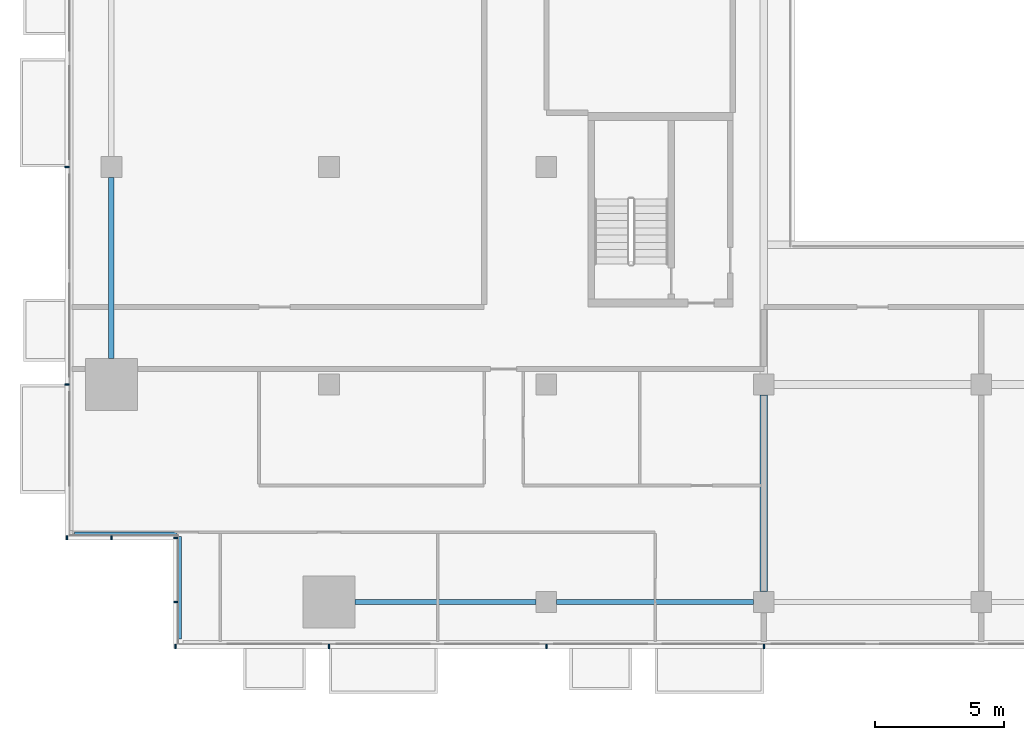
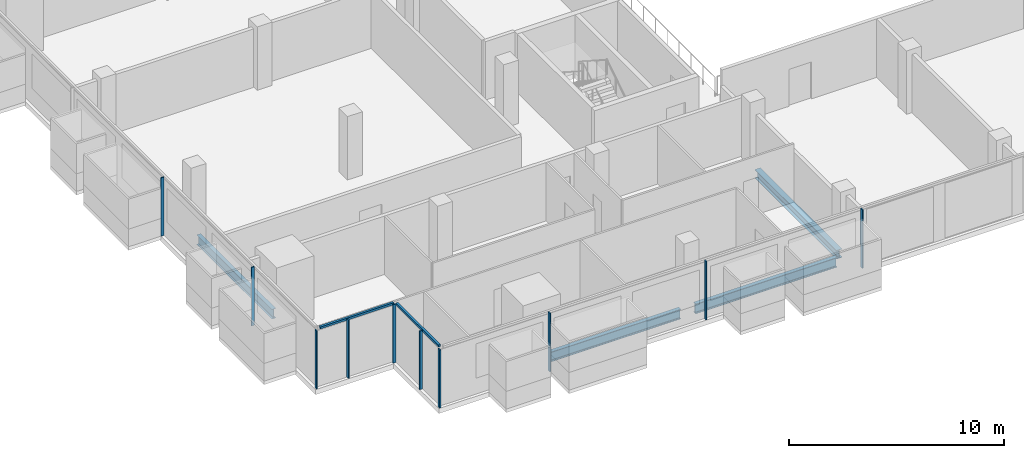
# One storey, part 2 of 26: 12 members, 4 beams, 4 elements without a shape of their own.
"""IFC4 building model written with IfcOpenShell, lengths in metres."""

from ifc_helpers import new_model, si_unit, direction, frame, origin, origin_2d, place, context, subcontext, project, spatial, rectangle, i_section, extrude, material, material_profile, profile_set, type_object, element, aggregate, save


model = new_model("IFC4")

# Units and contexts
model_context = context("Model", 3, precision=1e-05, world=origin(), true_north=direction((0.0, 1.0)))
body_context = subcontext(model_context, "Body", "Model", "MODEL_VIEW")
ifc_project = project(units=[si_unit("LENGTHUNIT", "METRE"), si_unit("AREAUNIT", "SQUARE_METRE"), si_unit("VOLUMEUNIT", "CUBIC_METRE"), si_unit("PLANEANGLEUNIT", "RADIAN"), si_unit("MASSUNIT", "GRAM", prefix="KILO")], contexts=[model_context])

# Site, building, storey
site_placement = place(None, origin())
site = spatial("IfcSite", under=ifc_project, at=site_placement, CompositionType="ELEMENT")
building_placement = place(site_placement, origin())
building = spatial("IfcBuilding", under=site, at=building_placement, Name="Saffron Gate Tower", CompositionType="ELEMENT")
storey_placement = place(building_placement, frame((0.0, 0.0, 102.449951171875)))
storey = spatial("IfcBuildingStorey", under=building, at=storey_placement, Name="L23", CompositionType="ELEMENT", Elevation=102.449951171875)

# Beams
ifc_material_1 = material(Name="Structural steel S355", Category="steel")
ifc_material_profile_1 = material_profile(ifc_material_1, i_section(OverallWidth=0.2099609375, OverallDepth=0.550048828125, WebThickness=0.010986328125, FlangeThickness=0.01708984375, FilletRadius=0.02392578125, at=origin_2d()))
ifc_profile_set_1 = profile_set([ifc_material_profile_1], Name="Structural steel S355")
beam_type_1 = type_object("IfcBeamType", Name="B13 IPE 550", PredefinedType="SPANDREL", material=ifc_profile_set_1)
for number, where, z_axis, x_axis, name in (
    (1, (49.800048828125, 41.199951171875, -0.554931640625), (0.0, 1.0, 0.0), (-1.0, 0.0, 0.0), "B13 SPANDREL BEAM"),
    (2, (59.199951171875, 31.800048828125, -0.554931640625), (1.0, 0.0, 0.0), (0.0, 1.0, 0.0), "B13 SPANDREL BEAM"),
):
    element("IfcBeam", number, at=place(storey_placement, frame(where, z_axis=z_axis, x_axis=x_axis)), inside=storey, type_object=beam_type_1, Name=name, PredefinedType="SPANDREL", context=body_context, shape_type="SweptSolid", body=[
        extrude(i_section(OverallWidth=0.2099609375, OverallDepth=0.550048828125, WebThickness=0.010986328125, FlangeThickness=0.01708984375, FilletRadius=0.02392578125, at=origin_2d()), origin(), (0.0, 0.0, 1.0), 7.0),
    ])
beam_1_placement = place(storey_placement, frame((67.0, 31.800048828125, -0.554931640625), z_axis=(1.0, 0.0, 0.0), x_axis=(0.0, 1.0, 0.0)))
element("IfcBeam", 3, at=beam_1_placement, inside=storey, type_object=beam_type_1, Name="B13 SPANDREL BEAM", PredefinedType="SPANDREL", context=body_context, shape_type="SweptSolid", body=[
    extrude(i_section(OverallWidth=0.2099609375, OverallDepth=0.550048828125, WebThickness=0.010986328125, FlangeThickness=0.01708984375, FilletRadius=0.02392578125, at=origin_2d()), origin(), (0.0, 0.0, 1.0), 7.60009765625),
])
ifc_material_profile_2 = material_profile(ifc_material_1, i_section(OverallWidth=0.300048828125, OverallDepth=0.489990234375, WebThickness=0.011962890625, FlangeThickness=0.02294921875, FilletRadius=0.027099609375, at=origin_2d()))
ifc_profile_set_2 = profile_set([ifc_material_profile_2], Name="Structural steel S355")
beam_type_2 = type_object("IfcBeamType", Name="B8 HEA 500", PredefinedType="BEAM", material=ifc_profile_set_2)
beam_2_placement = place(storey_placement, frame((75.0, 32.199951171875, -0.52490234375), z_axis=(0.0, 1.0, 0.0), x_axis=(-1.0, 0.0, 0.0)))
element("IfcBeam", 4, at=beam_2_placement, inside=storey, type_object=beam_type_2, Name="B8 FLOOR GIRDER", PredefinedType="BEAM", context=body_context, shape_type="SweptSolid", body=[
    extrude(i_section(OverallWidth=0.300048828125, OverallDepth=0.489990234375, WebThickness=0.011962890625, FlangeThickness=0.02294921875, FilletRadius=0.027099609375, at=origin_2d()), origin(), (0.0, 0.0, 1.0), 7.60009765625),
])

# Curtain wall, members
ifc_material_2 = material(Name="Aluminium, bronze anodised", Category="aluminium")
curtain_wall_type_1 = type_object("IfcCurtainWallType", Name="CWS1 curtain wall front facade", PredefinedType="NOTDEFINED", material=ifc_material_2)
curtain_wall_1_placement = place(storey_placement, origin())
curtain_wall_1 = element("IfcCurtainWall", 5, at=curtain_wall_1_placement, inside=storey, type_object=curtain_wall_type_1, Name="CWS1 run 1", PredefinedType="NOTDEFINED")
ifc_material_profile_3 = material_profile(ifc_material_2, rectangle(XDim=0.159912109375, YDim=0.06005859375, at=origin_2d()))
ifc_profile_set_3 = profile_set([ifc_material_profile_3], Name="Aluminium, bronze anodised")
member_type_1 = type_object("IfcMemberType", Name="CWS1 mullion 60x160", PredefinedType="MULLION", material=ifc_profile_set_3)
member_1_placement = place(storey_placement, frame((52.280029296875, 30.080078125, 0.0), z_axis=(0.0, 0.0, 1.0), x_axis=(0.0, 1.0, 0.0)))
member_1 = element("IfcMember", 6, at=member_1_placement, type_object=member_type_1, Name="CWS1 mullion 1", PredefinedType="MULLION", context=body_context, shape_type="SweptSolid", body=[
    extrude(rectangle(XDim=0.159912109375, YDim=0.06005859375, at=origin_2d()), origin(), (0.0, 0.0, 1.0), 3.320068359375),
])
member_2_placement = place(storey_placement, frame((58.199951171875, 30.080078125, 0.0), z_axis=(0.0, 0.0, 1.0), x_axis=(0.0, 1.0, 0.0)))
member_2 = element("IfcMember", 7, at=member_2_placement, type_object=member_type_1, Name="CWS1 mullion 2", PredefinedType="MULLION", context=body_context, shape_type="SweptSolid", body=[
    extrude(rectangle(XDim=0.159912109375, YDim=0.06005859375, at=origin_2d()), origin(), (0.0, 0.0, 1.0), 3.320068359375),
])
member_3_placement = place(storey_placement, frame((66.60009765625, 30.080078125, 0.0), z_axis=(0.0, 0.0, 1.0), x_axis=(0.0, 1.0, 0.0)))
member_3 = element("IfcMember", 8, at=member_3_placement, type_object=member_type_1, Name="CWS1 mullion 3", PredefinedType="MULLION", context=body_context, shape_type="SweptSolid", body=[
    extrude(rectangle(XDim=0.159912109375, YDim=0.06005859375, at=origin_2d()), origin(), (0.0, 0.0, 1.0), 3.320068359375),
])
member_4_placement = place(storey_placement, frame((75.0, 30.080078125, 0.0), z_axis=(0.0, 0.0, 1.0), x_axis=(0.0, 1.0, 0.0)))
member_4 = element("IfcMember", 9, at=member_4_placement, type_object=member_type_1, Name="CWS1 mullion 4", PredefinedType="MULLION", context=body_context, shape_type="SweptSolid", body=[
    extrude(rectangle(XDim=0.159912109375, YDim=0.06005859375, at=origin_2d()), origin(), (0.0, 0.0, 1.0), 3.320068359375),
])
aggregate(curtain_wall_1, [member_1, member_2, member_3, member_4])

curtain_wall_type_2 = type_object("IfcCurtainWallType", Name="CWS2 curtain wall side facades", PredefinedType="NOTDEFINED", material=ifc_material_2)
curtain_wall_2_placement = place(storey_placement, origin())
curtain_wall_2 = element("IfcCurtainWall", 10, at=curtain_wall_2_placement, inside=storey, type_object=curtain_wall_type_2, Name="CWS2 run 10", PredefinedType="NOTDEFINED")
ifc_material_profile_4 = material_profile(ifc_material_2, rectangle(XDim=0.159912109375, YDim=0.06005859375, at=origin_2d()))
ifc_profile_set_4 = profile_set([ifc_material_profile_4], Name="Aluminium, bronze anodised")
member_type_2 = type_object("IfcMemberType", Name="CWS2 mullion 60x160", PredefinedType="MULLION", material=ifc_profile_set_4)
member_5_placement = place(storey_placement, frame((48.080078125, 48.60009765625, 0.0), z_axis=(0.0, 0.0, 1.0), x_axis=(1.0, 0.0, 0.0)))
member_5 = element("IfcMember", 11, at=member_5_placement, type_object=member_type_2, Name="CWS2 mullion 4", PredefinedType="MULLION", context=body_context, shape_type="SweptSolid", body=[
    extrude(rectangle(XDim=0.159912109375, YDim=0.06005859375, at=origin_2d()), origin(), (0.0, 0.0, 1.0), 3.320068359375),
])
member_6_placement = place(storey_placement, frame((48.080078125, 40.199951171875, 0.0), z_axis=(0.0, 0.0, 1.0), x_axis=(1.0, 0.0, 0.0)))
member_6 = element("IfcMember", 12, at=member_6_placement, type_object=member_type_2, Name="CWS2 mullion 5", PredefinedType="MULLION", context=body_context, shape_type="SweptSolid", body=[
    extrude(rectangle(XDim=0.159912109375, YDim=0.06005859375, at=origin_2d()), origin(), (0.0, 0.0, 1.0), 3.320068359375),
])
aggregate(curtain_wall_2, [member_5, member_6])

# Curtain wall, member
curtain_wall_type_3 = type_object("IfcCurtainWallType", Name="CWS4 curtain wall corner returns", PredefinedType="NOTDEFINED", material=ifc_material_2)
curtain_wall_3_placement = place(storey_placement, origin())
curtain_wall_3 = element("IfcCurtainWall", 13, at=curtain_wall_3_placement, inside=storey, type_object=curtain_wall_type_3, Name="CWS4 run 11", PredefinedType="NOTDEFINED")
ifc_material_profile_5 = material_profile(ifc_material_2, rectangle(XDim=0.1201171875, YDim=0.1201171875, at=origin_2d()))
ifc_profile_set_5 = profile_set([ifc_material_profile_5], Name="Aluminium, bronze anodised")
member_type_3 = type_object("IfcMemberType", Name="CWS4 head transom", PredefinedType="USERDEFINED", material=ifc_profile_set_5)
member_7_placement = place(storey_placement, frame((48.367919921875, 34.447998046875, 3.260009765625), z_axis=(1.0, 0.0, 0.0), x_axis=(0.0, 1.0, 0.0)))
member_7 = element("IfcMember", 14, at=member_7_placement, type_object=member_type_3, Name="CWS4 head transom", ObjectType="TRANSOM", PredefinedType="USERDEFINED", context=body_context, shape_type="SweptSolid", body=[
    extrude(rectangle(XDim=0.1201171875, YDim=0.1201171875, at=origin_2d()), origin(), (0.0, 0.0, 1.0), 3.9599609375),
])

curtain_wall_4_placement = place(storey_placement, origin())
curtain_wall_4 = element("IfcCurtainWall", 15, at=curtain_wall_4_placement, inside=storey, type_object=curtain_wall_type_3, Name="CWS4 run 12", PredefinedType="NOTDEFINED")
member_8_placement = place(storey_placement, frame((52.447998046875, 34.327880859375, 3.260009765625), z_axis=(0.0, -1.0, 0.0), x_axis=(1.0, 0.0, 0.0)))
member_8 = element("IfcMember", 16, at=member_8_placement, type_object=member_type_3, Name="CWS4 head transom", ObjectType="TRANSOM", PredefinedType="USERDEFINED", context=body_context, shape_type="SweptSolid", body=[
    extrude(rectangle(XDim=0.1201171875, YDim=0.1201171875, at=origin_2d()), origin(), (0.0, 0.0, 1.0), 3.9599609375),
])

# Member
ifc_material_profile_6 = material_profile(ifc_material_2, rectangle(XDim=0.159912109375, YDim=0.06005859375, at=origin_2d()))
ifc_profile_set_6 = profile_set([ifc_material_profile_6], Name="Aluminium, bronze anodised")
member_type_4 = type_object("IfcMemberType", Name="CWS4 mullion 60x160", PredefinedType="MULLION", material=ifc_profile_set_6)
member_9_placement = place(storey_placement, frame((48.080078125, 34.280029296875, 0.0), z_axis=(0.0, 0.0, 1.0), x_axis=(0.0, 1.0, 0.0)))
member_9 = element("IfcMember", 17, at=member_9_placement, type_object=member_type_4, Name="CWS4 mullion 1", PredefinedType="MULLION", context=body_context, shape_type="SweptSolid", body=[
    extrude(rectangle(XDim=0.159912109375, YDim=0.06005859375, at=origin_2d()), origin(), (0.0, 0.0, 1.0), 3.320068359375),
])

member_10_placement = place(storey_placement, frame((49.800048828125, 34.280029296875, 0.0), z_axis=(0.0, 0.0, 1.0), x_axis=(0.0, 1.0, 0.0)))
member_10 = element("IfcMember", 18, at=member_10_placement, type_object=member_type_4, Name="CWS4 mullion 2", PredefinedType="MULLION", context=body_context, shape_type="SweptSolid", body=[
    extrude(rectangle(XDim=0.159912109375, YDim=0.06005859375, at=origin_2d()), origin(), (0.0, 0.0, 1.0), 3.320068359375),
])

aggregate(curtain_wall_3, [member_9, member_10, member_7])

member_11_placement = place(storey_placement, frame((52.280029296875, 34.280029296875, 0.0), z_axis=(0.0, 0.0, 1.0), x_axis=(1.0, 0.0, 0.0)))
member_11 = element("IfcMember", 19, at=member_11_placement, type_object=member_type_4, Name="CWS4 mullion 1", PredefinedType="MULLION", context=body_context, shape_type="SweptSolid", body=[
    extrude(rectangle(XDim=0.159912109375, YDim=0.06005859375, at=origin_2d()), origin(), (0.0, 0.0, 1.0), 3.320068359375),
])

member_12_placement = place(storey_placement, frame((52.280029296875, 31.800048828125, 0.0), z_axis=(0.0, 0.0, 1.0), x_axis=(1.0, 0.0, 0.0)))
member_12 = element("IfcMember", 20, at=member_12_placement, type_object=member_type_4, Name="CWS4 mullion 2", PredefinedType="MULLION", context=body_context, shape_type="SweptSolid", body=[
    extrude(rectangle(XDim=0.159912109375, YDim=0.06005859375, at=origin_2d()), origin(), (0.0, 0.0, 1.0), 3.320068359375),
])

aggregate(curtain_wall_4, [member_11, member_12, member_8])

save(model, "model.ifc")
